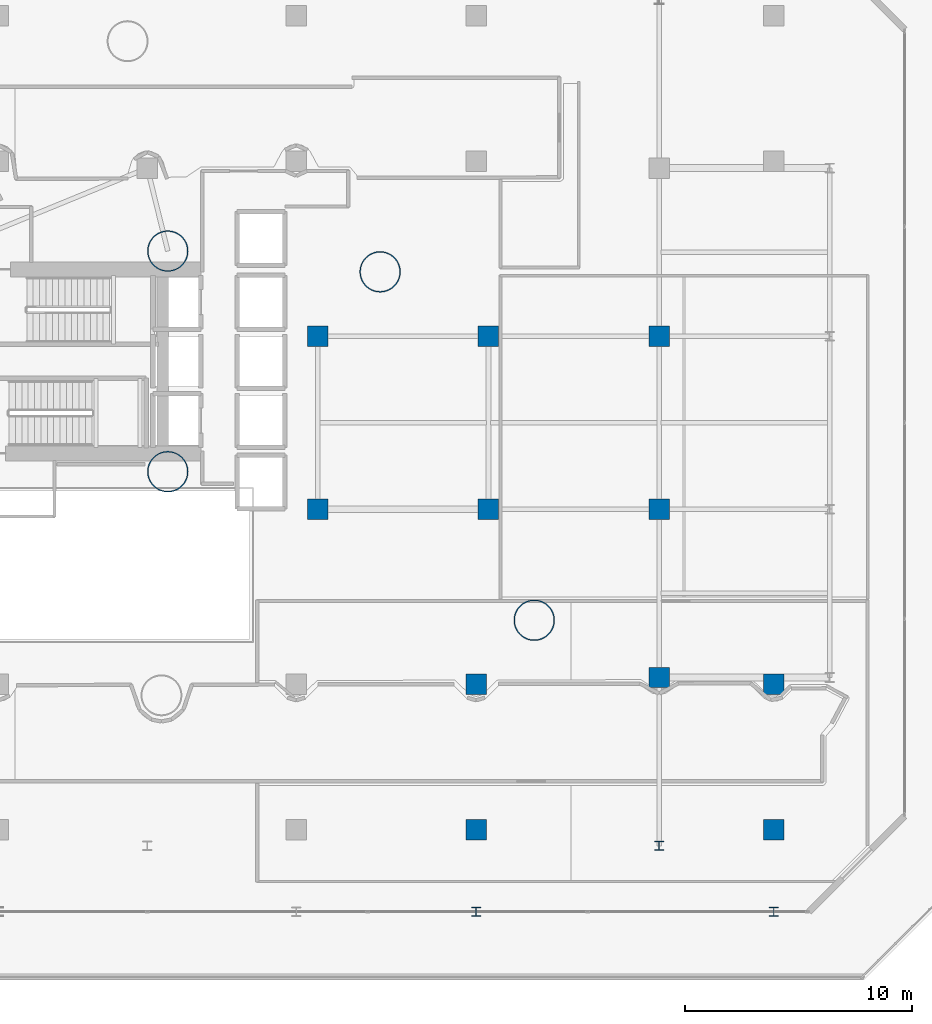
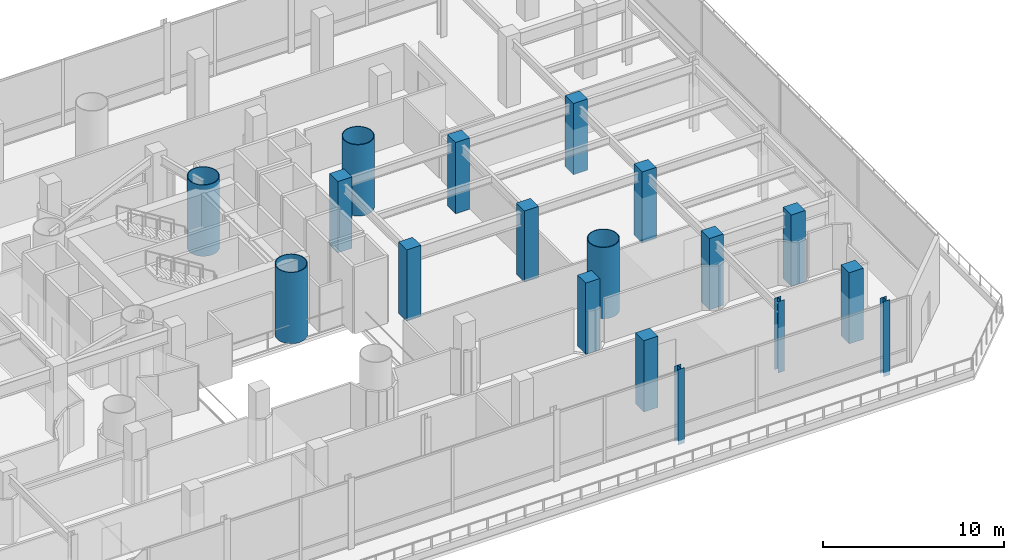
# One storey, part 2 of 39: 18 columns.
"""IFC4 building model written with IfcOpenShell, lengths in metres."""

import ifcopenshell
import ifcopenshell.guid

model = None  # the IFC model being written
_history = None  # IfcOwnerHistory: only IFC2X3 demands one
_inside = {}  # id of a spatial element -> (the spatial element, [elements in it])
_under = {}  # id of a project, library or spatial element -> (it, [spatial elements below it])
_declared = {}  # id of a project -> (the project, [libraries it declares])
_typed = {}  # id of a type object -> (the type object, [elements of that type])
_made_of = {}  # id of a material, layer set ... -> (it, [elements and type objects made of it])


def new_model(schema):
    """Start an empty IFC model of exactly this schema.

    Asked for "IFC4X3", IfcOpenShell would pick the latest addendum, in which some entities
    have other attributes; the version numbers below select the first issue.
    IFC2X3 requires an IfcOwnerHistory on every rooted entity: one is made here for all.
    """
    global model, _history
    if schema == "IFC4X3":
        model = ifcopenshell.file(schema_version=(4, 3, 0, 0))
    else:
        model = ifcopenshell.file(schema=schema)
    _inside.clear()
    _under.clear()
    _declared.clear()
    _typed.clear()
    _made_of.clear()
    _history = None
    if model.schema == "IFC2X3":
        org = make("IfcOrganization", Name="unknown")
        user = make(
            "IfcPersonAndOrganization",
            ThePerson=make("IfcPerson", FamilyName="unknown"),
            TheOrganization=org,
        )
        app = make(
            "IfcApplication",
            ApplicationDeveloper=org,
            Version="unknown",
            ApplicationFullName="unknown",
            ApplicationIdentifier="unknown",
        )
        _history = make(
            "IfcOwnerHistory",
            OwningUser=user,
            OwningApplication=app,
            ChangeAction="ADDED",
            CreationDate=0,
        )
    return model


def make(cls, **values):
    """One entity of the class cls with the attributes given. An attribute that is None is left unset."""
    return model.create_entity(
        cls, **{name: value for name, value in values.items() if value is not None}
    )


def rooted(cls, **values):
    """An entity with a GlobalId (a new one), such as an element, a storey or a relation."""
    return make(cls, GlobalId=ifcopenshell.guid.new(), OwnerHistory=_history, **values)


def si_unit(unit_type, name, prefix=None):
    """IfcSIUnit, for example si_unit("LENGTHUNIT", "METRE", prefix="MILLI")."""
    return make("IfcSIUnit", UnitType=unit_type, Prefix=prefix, Name=name)


def assignment(units):
    """IfcUnitAssignment: the units of a project."""
    return None if units is None else make("IfcUnitAssignment", Units=units)


def point(xyz):
    """IfcCartesianPoint."""
    return None if xyz is None else make("IfcCartesianPoint", Coordinates=xyz)


def direction(xyz):
    """IfcDirection."""
    return None if xyz is None else make("IfcDirection", DirectionRatios=xyz)


def frame(location, z_axis=None, x_axis=None):
    """IfcAxis2Placement3D, a coordinate frame: its origin and axes. An axis left out is left unset."""
    return make(
        "IfcAxis2Placement3D",
        Location=point(location),
        Axis=direction(z_axis),
        RefDirection=direction(x_axis),
    )


def frame_2d(location, x_axis=None):
    """IfcAxis2Placement2D, a coordinate frame in the plane: its origin and x axis."""
    return make(
        "IfcAxis2Placement2D", Location=point(location), RefDirection=direction(x_axis)
    )


def origin():
    """The frame at (0, 0, 0) with its axes left unset."""
    return frame((0.0, 0.0, 0.0))


def origin_2d():
    """The frame at (0, 0) in the plane with its x axis left unset."""
    return frame_2d((0.0, 0.0))


def place(relative_to, where):
    """IfcLocalPlacement: puts the frame where relative to a parent placement (None: the world)."""
    return make(
        "IfcLocalPlacement", PlacementRelTo=relative_to, RelativePlacement=where
    )


def context(
    kind, dimensions, precision=None, world=None, true_north=None, identifier=None
):
    """IfcGeometricRepresentationContext, for example the 3D "Model" context."""
    return make(
        "IfcGeometricRepresentationContext",
        ContextIdentifier=identifier,
        ContextType=kind,
        CoordinateSpaceDimension=dimensions,
        Precision=precision,
        WorldCoordinateSystem=world,
        TrueNorth=true_north,
    )


def subcontext(parent, identifier, kind, view, scale=None):
    """IfcGeometricRepresentationSubContext, for example "Body" below "Model"."""
    return make(
        "IfcGeometricRepresentationSubContext",
        ContextIdentifier=identifier,
        ContextType=kind,
        ParentContext=parent,
        TargetScale=scale,
        TargetView=view,
    )


def project(units=None, contexts=None):
    """IfcProject with its units and contexts."""
    return rooted(
        "IfcProject",
        Name="project",
        RepresentationContexts=contexts,
        UnitsInContext=assignment(units),
    )


def spatial(cls, under=None, at=None, **own):
    """A site, building, storey or space (cls), placed at a placement, below another one or the project."""
    s = rooted(cls, ObjectPlacement=at, **own)
    if under is not None:
        _under.setdefault(under.id(), (under, []))[1].append(s)
    return s


def profile(cls, at=None, kind="AREA", **sizes):
    """A parametric profile (cls). Its sizes go by their IFC names, for example OverallWidth=200.0."""
    return make(cls, ProfileType=kind, Position=at, **sizes)


def rectangle(**sizes):
    """IfcRectangleProfileDef."""
    return profile("IfcRectangleProfileDef", **sizes)


def hollow_circle(**sizes):
    """IfcCircleHollowProfileDef."""
    return profile("IfcCircleHollowProfileDef", **sizes)


def i_section(**sizes):
    """IfcIShapeProfileDef."""
    return profile("IfcIShapeProfileDef", **sizes)


def extrude(swept, where, along, depth):
    """IfcExtrudedAreaSolid: the profile swept, set in the frame where, extruded along a direction by depth."""
    return make(
        "IfcExtrudedAreaSolid",
        SweptArea=swept,
        Position=where,
        ExtrudedDirection=direction(along),
        Depth=depth,
    )


def shape(context_of_items, identifier, shape_type, items):
    """IfcShapeRepresentation: the items that make up one representation, for example the "Body"."""
    return make(
        "IfcShapeRepresentation",
        ContextOfItems=context_of_items,
        RepresentationIdentifier=identifier,
        RepresentationType=shape_type,
        Items=items,
    )


def material(Name=None, Category=None):
    """IfcMaterial."""
    return make("IfcMaterial", Name=Name, Category=Category)


def material_profile(
    of_material, cross_section, Name=None, Category=None, Priority=None
):
    """IfcMaterialProfile: a cross section and its material."""
    return make(
        "IfcMaterialProfile",
        Name=Name,
        Material=of_material,
        Profile=cross_section,
        Priority=Priority,
        Category=Category,
    )


def profile_set(profiles, Name=None, composite=None):
    """IfcMaterialProfileSet."""
    return make(
        "IfcMaterialProfileSet",
        Name=Name,
        MaterialProfiles=profiles,
        CompositeProfile=composite,
    )


def made_of(thing, what):
    """Note that an element or type object is made of a material, layer set ...; save() writes the relation."""
    if what is not None:
        _made_of.setdefault(what.id(), (what, []))[1].append(thing)
    return thing


def type_object(cls, material=None, **own):
    """A type object (cls), such as IfcWallType, which elements share."""
    return made_of(rooted(cls, **own), material)


def element(
    cls,
    number,
    at=None,
    inside=None,
    cuts=None,
    type_object=None,
    material=None,
    context=None,
    identifier="Body",
    shape_type=None,
    held_by="IfcProductDefinitionShape",
    body=None,
    shapes=None,
    **own,
):
    """One element of the class cls, such as IfcWall. Its Tag is "e" and its number.

    at: its placement. inside: the storey or other place that contains it. cuts: it is an
    opening in that element (IfcRelVoidsElement). A single representation is given by context,
    identifier, shape_type and body (its items); several are given by shapes. held_by: the class
    of the entity that holds the representations. save() writes the other relations.
    """
    e = rooted(cls, Tag="e%d" % number, ObjectPlacement=at, **own)
    if body is not None:
        shapes = [shape(context, identifier, shape_type, body)]
    if shapes is not None:
        e.Representation = make(held_by, Representations=shapes)
    if inside is not None:
        _inside.setdefault(inside.id(), (inside, []))[1].append(e)
    if cuts is not None:
        rooted(
            "IfcRelVoidsElement", RelatingBuildingElement=cuts, RelatedOpeningElement=e
        )
    if type_object is not None:
        _typed.setdefault(type_object.id(), (type_object, []))[1].append(e)
    return made_of(e, material)


def aggregate(whole, parts):
    """IfcRelAggregates: a whole, such as a stair, and the parts it consists of."""
    return rooted("IfcRelAggregates", RelatingObject=whole, RelatedObjects=parts)


def save(model, path):
    """Write the relations noted so far, then the file.

    IfcRelAggregates (storeys below a building ...), IfcRelContainedInSpatialStructure (elements
    in a storey), IfcRelDefinesByType, IfcRelAssociatesMaterial and IfcRelDeclares: one each for
    every whole, place, type object, material and project.
    """
    for whole, parts in _under.values():
        aggregate(whole, parts)
    for where, things in _inside.values():
        rooted(
            "IfcRelContainedInSpatialStructure",
            RelatedElements=things,
            RelatingStructure=where,
        )
    for kind, things in _typed.values():
        rooted("IfcRelDefinesByType", RelatedObjects=things, RelatingType=kind)
    for what, things in _made_of.values():
        rooted("IfcRelAssociatesMaterial", RelatedObjects=things, RelatingMaterial=what)
    for by, libraries in _declared.values():
        rooted("IfcRelDeclares", RelatingContext=by, RelatedDefinitions=libraries)
    model.write(path)


model = new_model("IFC4")

# Units and contexts
model_context = context("Model", 3, precision=1e-05, world=origin(), true_north=direction((0.0, 1.0)))
body_context = subcontext(model_context, "Body", "Model", "MODEL_VIEW")
ifc_project = project(units=[si_unit("LENGTHUNIT", "METRE"), si_unit("AREAUNIT", "SQUARE_METRE"), si_unit("VOLUMEUNIT", "CUBIC_METRE"), si_unit("PLANEANGLEUNIT", "RADIAN"), si_unit("MASSUNIT", "GRAM", prefix="KILO")], contexts=[model_context])

# Site, building, storey
site_placement = place(None, origin())
site = spatial("IfcSite", under=ifc_project, at=site_placement, CompositionType="ELEMENT")
building_placement = place(site_placement, origin())
building = spatial("IfcBuilding", under=site, at=building_placement, Name="Qianvela Tower", CompositionType="ELEMENT")
storey_placement = place(building_placement, frame((0.0, 0.0, 15.800048828125)))
storey = spatial("IfcBuildingStorey", under=building, at=storey_placement, Name="L03", CompositionType="ELEMENT", Elevation=15.800048828125)

# Columns
ifc_material_1 = material(Name="Steel Q420GJC", Category="steel")
ifc_material_profile_1 = material_profile(ifc_material_1, hollow_circle(Radius=0.89990234375, WallThickness=0.044921875, at=origin_2d()), Name="CFT-1800x45")
ifc_profile_set_1 = profile_set([ifc_material_profile_1], Name="Steel Q420GJC")
column_type_1 = type_object("IfcColumnType", Name="COL-CFT-1800x45", PredefinedType="COLUMN", material=ifc_profile_set_1)
for number, where, z_axis, x_axis, name in (
    (1, (38.39990234375, 33.550048828125, 0.0), (0.0, 0.0, 1.0), (1.0, 0.0, 0.0), "L03 Core Corner Mega-Column CC-NE"),
    (2, (38.39990234375, 23.85009765625, 0.0), (0.0, 0.0, 1.0), (1.0, 0.0, 0.0), "L03 Core Corner Mega-Column CC-SE"),
    (3, (54.511962890625, 17.31689453125, 0.0), (0.0, 0.0, 1.0), (1.0, 0.0, 0.0), "L03 Tower Base CFT Mega-Column C1"),
    (4, (47.736083984375, 32.636962890625, 0.0), (0.0, 0.0, 1.0), (1.0, 0.0, 0.0), "L03 Tower Base CFT Mega-Column C2"),
):
    element("IfcColumn", number, at=place(storey_placement, frame(where, z_axis=z_axis, x_axis=x_axis)), inside=storey, type_object=column_type_1, Name=name, PredefinedType="COLUMN", context=body_context, shape_type="SweptSolid", body=[
        extrude(hollow_circle(Radius=0.89990234375, WallThickness=0.044921875, at=origin_2d()), origin(), (0.0, 0.0, 1.0), 4.800048828125),
    ])
ifc_material_2 = material(Name="Steel Q355B", Category="steel")
ifc_material_profile_2 = material_profile(ifc_material_2, i_section(OverallWidth=0.39990234375, OverallDepth=0.39990234375, WebThickness=0.012939453125, FlangeThickness=0.02099609375, at=origin_2d()), Name="HW400x400x13x21")
ifc_profile_set_2 = profile_set([ifc_material_profile_2], Name="Steel Q355B")
column_type_2 = type_object("IfcColumnType", Name="COL-HW-400", PredefinedType="COLUMN", material=ifc_profile_set_2)
column_placement = place(storey_placement, frame((60.0, 7.39990234375, 0.0), z_axis=(0.0, 0.0, 1.0), x_axis=(1.0, 0.0, 0.0)))
element("IfcColumn", 5, at=column_placement, inside=storey, type_object=column_type_2, Name="L03 Podium Grid Column P38", PredefinedType="COLUMN", context=body_context, shape_type="SweptSolid", body=[
    extrude(i_section(OverallWidth=0.39990234375, OverallDepth=0.39990234375, WebThickness=0.012939453125, FlangeThickness=0.02099609375, at=origin_2d()), origin(), (0.0, 0.0, 1.0), 4.800048828125),
])
for number, where, z_axis, x_axis, name in (
    (6, (51.955322265625, 4.5, -0.27001953125), (0.0, 0.0, 1.0), (1.0, 0.0, 0.0), "L03 V-Column Transfer Post VC-S3-L"),
    (7, (65.044677734375, 4.5, -0.27001953125), (0.0, 0.0, 1.0), (1.0, 0.0, 0.0), "L03 V-Column Transfer Post VC-S3-R"),
):
    element("IfcColumn", number, at=place(storey_placement, frame(where, z_axis=z_axis, x_axis=x_axis)), inside=storey, type_object=column_type_2, Name=name, PredefinedType="COLUMN", context=body_context, shape_type="SweptSolid", body=[
        extrude(i_section(OverallWidth=0.39990234375, OverallDepth=0.39990234375, WebThickness=0.012939453125, FlangeThickness=0.02099609375, at=origin_2d()), origin(), (0.0, 0.0, 1.0), 5.070068359375),
    ])
ifc_material_3 = material(Name="Concrete C60", Category="concrete")
ifc_material_profile_3 = material_profile(ifc_material_3, rectangle(XDim=0.89990234375, YDim=0.89990234375, at=origin_2d()), Name="RC-COL-900x900")
ifc_profile_set_3 = profile_set([ifc_material_profile_3], Name="Concrete C60")
column_type_3 = type_object("IfcColumnType", Name="COL-RC-900", PredefinedType="COLUMN", material=ifc_profile_set_3)
for number, where, z_axis, x_axis, name in (
    (8, (51.955322265625, 8.10009765625, 0.0), (0.0, 0.0, 1.0), (1.0, 0.0, 0.0), "L03 Concourse Colonnade Column VC-S3-L-B1"),
    (9, (51.955322265625, 14.5, 0.0), (0.0, 0.0, 1.0), (1.0, 0.0, 0.0), "L03 Concourse Colonnade Column VC-S3-L-B2"),
    (10, (65.044677734375, 8.10009765625, 0.0), (0.0, 0.0, 1.0), (1.0, 0.0, 0.0), "L03 Concourse Colonnade Column VC-S3-R-B1"),
    (11, (65.044677734375, 14.5, 0.0), (0.0, 0.0, 1.0), (1.0, 0.0, 0.0), "L03 Concourse Colonnade Column VC-S3-R-B2"),
    (12, (45.0, 22.199951171875, 0.0), (0.0, 0.0, 1.0), (1.0, 0.0, 0.0), "L03 Podium Grid Column P28"),
    (13, (45.0, 29.800048828125, 0.0), (0.0, 0.0, 1.0), (1.0, 0.0, 0.0), "L03 Podium Grid Column P29"),
    (14, (52.5, 22.199951171875, 0.0), (0.0, 0.0, 1.0), (1.0, 0.0, 0.0), "L03 Podium Grid Column P34"),
    (15, (52.5, 29.800048828125, 0.0), (0.0, 0.0, 1.0), (1.0, 0.0, 0.0), "L03 Podium Grid Column P35"),
    (16, (60.0, 14.800048828125, 0.0), (0.0, 0.0, 1.0), (1.0, 0.0, 0.0), "L03 Podium Grid Column P39"),
    (17, (60.0, 22.199951171875, 0.0), (0.0, 0.0, 1.0), (1.0, 0.0, 0.0), "L03 Podium Grid Column P40"),
    (18, (60.0, 29.800048828125, 0.0), (0.0, 0.0, 1.0), (1.0, 0.0, 0.0), "L03 Podium Grid Column P41"),
):
    element("IfcColumn", number, at=place(storey_placement, frame(where, z_axis=z_axis, x_axis=x_axis)), inside=storey, type_object=column_type_3, Name=name, PredefinedType="COLUMN", context=body_context, shape_type="SweptSolid", body=[
        extrude(rectangle(XDim=0.89990234375, YDim=0.89990234375, at=origin_2d()), origin(), (0.0, 0.0, 1.0), 4.800048828125),
    ])

save(model, "model.ifc")
